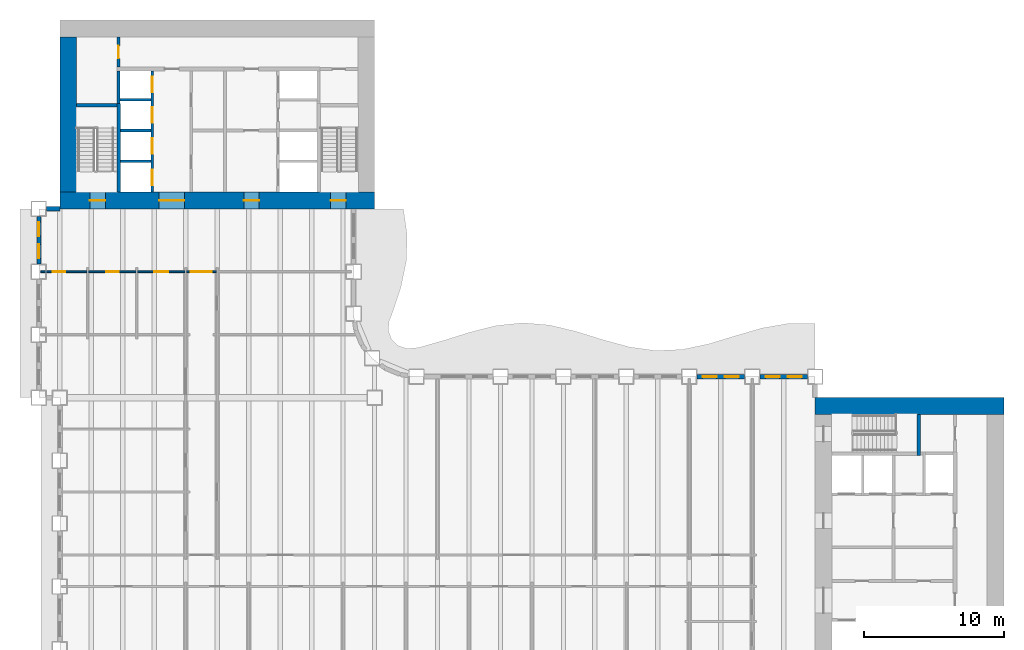
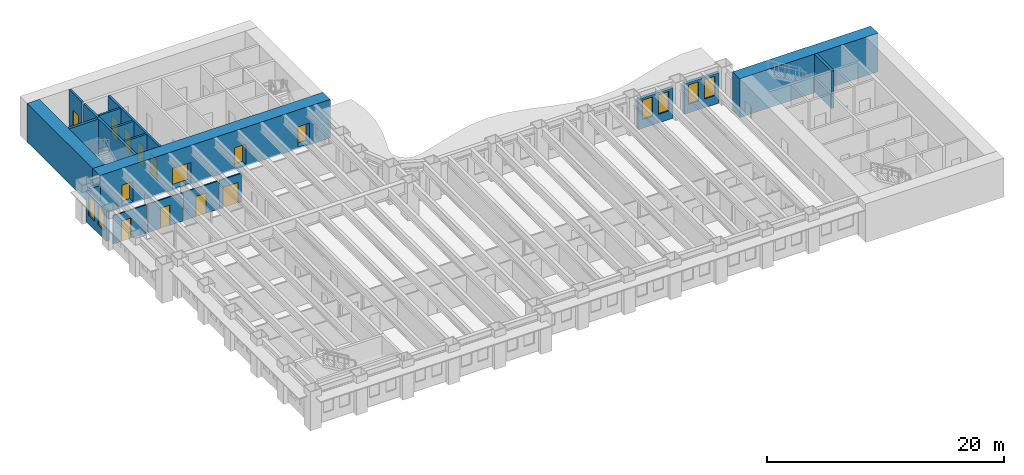
# One storey, part 7 of 15: 20 walls, 13 doors, 6 windows, 19 openings.
"""IFC4 building model written with IfcOpenShell, lengths in metres."""

from ifc_helpers import new_model, si_unit, direction, frame, frame_2d, origin, place, context, subcontext, project, spatial, rectangle, extrude, material, layer, layer_set, type_object, element, fill, save


model = new_model("IFC4")

# Units and contexts
model_context = context("Model", 3, precision=1e-05, world=origin(), true_north=direction((0.0, 1.0)))
body_context = subcontext(model_context, "Body", "Model", "MODEL_VIEW")
ifc_project = project(units=[si_unit("LENGTHUNIT", "METRE"), si_unit("AREAUNIT", "SQUARE_METRE"), si_unit("VOLUMEUNIT", "CUBIC_METRE"), si_unit("PLANEANGLEUNIT", "RADIAN"), si_unit("MASSUNIT", "GRAM", prefix="KILO")], contexts=[model_context])

# Site, building, storey
site_placement = place(None, origin())
site = spatial("IfcSite", under=ifc_project, at=site_placement, CompositionType="ELEMENT")
building_placement = place(site_placement, origin())
building = spatial("IfcBuilding", under=site, at=building_placement, Name="Sennacour Bend Tower", CompositionType="ELEMENT")
storey_placement = place(building_placement, frame((0.0, 0.0, 33.0)))
storey = spatial("IfcBuildingStorey", under=building, at=storey_placement, Name="L06", CompositionType="ELEMENT", Elevation=33.0)

# Wall
ifc_material_1 = material(Name="Concrete C80/95", Category="concrete")
ifc_layer_1 = layer(ifc_material_1, 1.199951171875, Name="Concrete C80/95", Category="concrete")
ifc_layer_set_1 = layer_set([ifc_layer_1], Name="Concrete C80/95")
wall_type_1 = type_object("IfcWallType", Name="Core wall 1200 C80/95", PredefinedType="SHEAR", material=ifc_layer_set_1)
wall_1_placement = place(storey_placement, frame((54.0, 21.89990234375, -0.14990234375), z_axis=(0.0, 0.0, 1.0), x_axis=(1.0, 0.0, 0.0)))
element("IfcWall", 1, at=wall_1_placement, inside=storey, type_object=wall_type_1, Name="Core A wall L06 N", PredefinedType="SHEAR", context=body_context, shape_type="SweptSolid", body=[
    extrude(rectangle(XDim=13.5, YDim=1.199951171875, at=frame_2d((6.75, 0.0))), origin(), (0.0, 0.0, 1.0), 4.0),
])

# Wall, openings, doors
wall_2_placement = place(storey_placement, frame((0.0, 36.60009765625, -0.14990234375), z_axis=(0.0, 0.0, 1.0), x_axis=(1.0, 0.0, 0.0)))
wall_2 = element("IfcWall", 2, at=wall_2_placement, inside=storey, type_object=wall_type_1, Name="Core B wall L06 S", PredefinedType="SHEAR", context=body_context, shape_type="SweptSolid", body=[
    extrude(rectangle(XDim=22.5, YDim=1.199951171875, at=frame_2d((11.25, 0.0))), origin(), (0.0, 0.0, 1.0), 4.0),
])
opening_1_placement = place(wall_2_placement, frame((7.10009765625, 0.0, 0.14990234375)))
opening_1 = element("IfcOpeningElement", 3, at=opening_1_placement, cuts=wall_2, Name="Opening CD", PredefinedType="OPENING", context=body_context, shape_type="SweptSolid", body=[
    extrude(rectangle(XDim=1.800048828125, YDim=2.10009765625, at=frame_2d((0.89990234375, 1.050048828125))), frame((0.0, 0.60986328125, 0.0), z_axis=(0.0, -1.0, 0.0), x_axis=(1.0, 0.0, 0.0)), (0.0, 0.0, 1.0), 1.219970703125),
])
opening_2_placement = place(wall_2_placement, frame((13.14990234375, 0.0, 0.14990234375)))
opening_2 = element("IfcOpeningElement", 4, at=opening_2_placement, cuts=wall_2, Name="Opening FD", PredefinedType="OPENING", context=body_context, shape_type="SweptSolid", body=[
    extrude(rectangle(XDim=1.10009765625, YDim=2.10009765625, at=frame_2d((0.550048828125, 1.050048828125))), frame((0.0, 0.60986328125, 0.0), z_axis=(0.0, -1.0, 0.0), x_axis=(1.0, 0.0, 0.0)), (0.0, 0.0, 1.0), 1.219970703125),
])
opening_3_placement = place(wall_2_placement, frame((2.14990234375, 0.0, 0.14990234375)))
opening_3 = element("IfcOpeningElement", 5, at=opening_3_placement, cuts=wall_2, Name="Opening SD", PredefinedType="OPENING", context=body_context, shape_type="SweptSolid", body=[
    extrude(rectangle(XDim=1.10009765625, YDim=2.10009765625, at=frame_2d((0.550048828125, 1.050048828125))), frame((0.0, 0.60986328125, 0.0), z_axis=(0.0, -1.0, 0.0), x_axis=(1.0, 0.0, 0.0)), (0.0, 0.0, 1.0), 1.219970703125),
])
opening_4_placement = place(wall_2_placement, frame((19.35009765625, 0.0, 0.14990234375)))
opening_4 = element("IfcOpeningElement", 6, at=opening_4_placement, cuts=wall_2, Name="Opening SD", PredefinedType="OPENING", context=body_context, shape_type="SweptSolid", body=[
    extrude(rectangle(XDim=1.10009765625, YDim=2.10009765625, at=frame_2d((0.550048828125, 1.050048828125))), frame((0.0, 0.60986328125, 0.0), z_axis=(0.0, -1.0, 0.0), x_axis=(1.0, 0.0, 0.0)), (0.0, 0.0, 1.0), 1.219970703125),
])
ifc_material_2 = material(Name="Painted steel", Category="steel")
door_type_1 = type_object("IfcDoorType", Name="DR-FFL-1100", OperationType="NOTDEFINED", PredefinedType="DOOR", material=ifc_material_2)
door_1_placement = place(opening_2_placement, origin())
door_1 = element("IfcDoor", 7, at=door_1_placement, inside=storey, type_object=door_type_1, Name="Door", OperationType="SINGLE_SWING_RIGHT", OverallHeight=2.10009765625, OverallWidth=1.10009765625, PredefinedType="DOOR", context=body_context, shape_type="SweptSolid", body=[
    extrude(rectangle(XDim=1.10009765625, YDim=2.10009765625, at=frame_2d((0.550048828125, 1.050048828125))), frame((0.0, 0.02490234375, 0.0), z_axis=(0.0, -1.0, 0.0), x_axis=(1.0, 0.0, 0.0)), (0.0, 0.0, 1.0), 0.050048828125),
])
fill(opening_2, door_1)
door_type_2 = type_object("IfcDoorType", Name="DR-LOBBY-1800", OperationType="NOTDEFINED", PredefinedType="DOOR", material=ifc_material_2)
door_2_placement = place(opening_1_placement, origin())
door_2 = element("IfcDoor", 8, at=door_2_placement, inside=storey, type_object=door_type_2, Name="Door", OperationType="DOUBLE_DOOR_SINGLE_SWING", OverallHeight=2.10009765625, OverallWidth=1.800048828125, PredefinedType="DOOR", context=body_context, shape_type="SweptSolid", body=[
    extrude(rectangle(XDim=1.800048828125, YDim=2.10009765625, at=frame_2d((0.89990234375, 1.050048828125))), frame((0.0, 0.02490234375, 0.0), z_axis=(0.0, -1.0, 0.0), x_axis=(1.0, 0.0, 0.0)), (0.0, 0.0, 1.0), 0.050048828125),
])
fill(opening_1, door_2)
door_type_3 = type_object("IfcDoorType", Name="DR-STAIR-1100", OperationType="NOTDEFINED", PredefinedType="DOOR", material=ifc_material_2)
door_3_placement = place(opening_3_placement, origin())
door_3 = element("IfcDoor", 9, at=door_3_placement, inside=storey, type_object=door_type_3, Name="Door", OperationType="SINGLE_SWING_LEFT", OverallHeight=2.10009765625, OverallWidth=1.10009765625, PredefinedType="DOOR", context=body_context, shape_type="SweptSolid", body=[
    extrude(rectangle(XDim=1.10009765625, YDim=2.10009765625, at=frame_2d((0.550048828125, 1.050048828125))), frame((0.0, 0.02490234375, 0.0), z_axis=(0.0, -1.0, 0.0), x_axis=(1.0, 0.0, 0.0)), (0.0, 0.0, 1.0), 0.050048828125),
])
fill(opening_3, door_3)
door_4_placement = place(opening_4_placement, origin())
door_4 = element("IfcDoor", 10, at=door_4_placement, inside=storey, type_object=door_type_3, Name="Door", OperationType="SINGLE_SWING_RIGHT", OverallHeight=2.10009765625, OverallWidth=1.10009765625, PredefinedType="DOOR", context=body_context, shape_type="SweptSolid", body=[
    extrude(rectangle(XDim=1.10009765625, YDim=2.10009765625, at=frame_2d((0.550048828125, 1.050048828125))), frame((0.0, 0.02490234375, 0.0), z_axis=(0.0, -1.0, 0.0), x_axis=(1.0, 0.0, 0.0)), (0.0, 0.0, 1.0), 0.050048828125),
])
fill(opening_4, door_4)

# Wall
wall_3_placement = place(storey_placement, frame((0.60009765625, 37.199951171875, -0.14990234375), z_axis=(0.0, 0.0, 1.0), x_axis=(0.0, 1.0, 0.0)))
element("IfcWall", 11, at=wall_3_placement, inside=storey, type_object=wall_type_1, Name="Core B wall L06 W", PredefinedType="SHEAR", context=body_context, shape_type="SweptSolid", body=[
    extrude(rectangle(XDim=11.10009765625, YDim=1.199951171875, at=frame_2d((5.550048828125, 0.0))), origin(), (0.0, 0.0, 1.0), 4.0),
])

# Wall, opening, door
ifc_material_3 = material(Name="Plasterboard partition on steel studs", Category="steel")
ifc_layer_2 = layer(ifc_material_3, 0.1201171875, Name="Plasterboard partition on steel studs", Category="steel")
ifc_layer_set_2 = layer_set([ifc_layer_2], Name="Plasterboard partition on steel studs")
wall_type_2 = type_object("IfcWallType", Name="Partition 120", PredefinedType="PARTITIONING", material=ifc_layer_set_2)
wall_4_placement = place(storey_placement, frame((-1.35009765625, 31.5, 0.0), z_axis=(0.0, 0.0, 1.0), x_axis=(1.0, 0.0, 0.0)))
wall_4 = element("IfcWall", 12, at=wall_4_placement, inside=storey, type_object=wall_type_2, Name="P-L06-W074aa", PredefinedType="PARTITIONING", context=body_context, shape_type="SweptSolid", body=[
    extrude(rectangle(XDim=3.2900390625, YDim=0.1201171875, at=frame_2d((1.64501953125, 0.0))), origin(), (0.0, 0.0, 1.0), 2.93798828125),
])
opening_5_placement = place(wall_4_placement, frame((0.85009765625, 0.0, 0.0)))
opening_5 = element("IfcOpeningElement", 13, at=opening_5_placement, cuts=wall_4, Name="Opening WD", PredefinedType="OPENING", context=body_context, shape_type="SweptSolid", body=[
    extrude(rectangle(XDim=0.89990234375, YDim=2.10009765625, at=frame_2d((0.449951171875, 1.050048828125))), frame((0.0, 0.070068359375, 0.0), z_axis=(0.0, -1.0, 0.0), x_axis=(1.0, 0.0, 0.0)), (0.0, 0.0, 1.0), 0.14013671875),
])
ifc_material_4 = material(Name="Timber", Category="wood")
door_type_4 = type_object("IfcDoorType", Name="DR-WC-900", OperationType="NOTDEFINED", PredefinedType="DOOR", material=ifc_material_4)
door_5_placement = place(opening_5_placement, origin())
door_5 = element("IfcDoor", 14, at=door_5_placement, inside=storey, type_object=door_type_4, Name="Door", OperationType="SINGLE_SWING_LEFT", OverallHeight=2.10009765625, OverallWidth=0.89990234375, PredefinedType="DOOR", context=body_context, shape_type="SweptSolid", body=[
    extrude(rectangle(XDim=0.89990234375, YDim=2.10009765625, at=frame_2d((0.449951171875, 1.050048828125))), frame((0.0, 0.02490234375, 0.0), z_axis=(0.0, -1.0, 0.0), x_axis=(1.0, 0.0, 0.0)), (0.0, 0.0, 1.0), 0.050048828125),
])
fill(opening_5, door_5)

wall_5_placement = place(storey_placement, frame((2.06005859375, 31.5, 0.0), z_axis=(0.0, 0.0, 1.0), x_axis=(1.0, 0.0, 0.0)))
wall_5 = element("IfcWall", 15, at=wall_5_placement, inside=storey, type_object=wall_type_2, Name="P-L06-W074ab", PredefinedType="PARTITIONING", context=body_context, shape_type="SweptSolid", body=[
    extrude(rectangle(XDim=3.3798828125, YDim=0.1201171875, at=frame_2d((1.68994140625, 0.0))), origin(), (0.0, 0.0, 1.0), 2.93798828125),
])
opening_6_placement = place(wall_5_placement, frame((1.239990234375, 0.0, 0.0)))
opening_6 = element("IfcOpeningElement", 16, at=opening_6_placement, cuts=wall_5, Name="Opening WD", PredefinedType="OPENING", context=body_context, shape_type="SweptSolid", body=[
    extrude(rectangle(XDim=0.89990234375, YDim=2.10009765625, at=frame_2d((0.449951171875, 1.050048828125))), frame((0.0, 0.070068359375, 0.0), z_axis=(0.0, -1.0, 0.0), x_axis=(1.0, 0.0, 0.0)), (0.0, 0.0, 1.0), 0.14013671875),
])
door_6_placement = place(opening_6_placement, origin())
door_6 = element("IfcDoor", 17, at=door_6_placement, inside=storey, type_object=door_type_4, Name="Door", OperationType="SINGLE_SWING_LEFT", OverallHeight=2.10009765625, OverallWidth=0.89990234375, PredefinedType="DOOR", context=body_context, shape_type="SweptSolid", body=[
    extrude(rectangle(XDim=0.89990234375, YDim=2.10009765625, at=frame_2d((0.449951171875, 1.050048828125))), frame((0.0, 0.02490234375, 0.0), z_axis=(0.0, -1.0, 0.0), x_axis=(1.0, 0.0, 0.0)), (0.0, 0.0, 1.0), 0.050048828125),
])
fill(opening_6, door_6)

wall_6_placement = place(storey_placement, frame((5.56005859375, 31.5, 0.0), z_axis=(0.0, 0.0, 1.0), x_axis=(1.0, 0.0, 0.0)))
wall_6 = element("IfcWall", 18, at=wall_6_placement, inside=storey, type_object=wall_type_2, Name="P-L06-W074ac", PredefinedType="PARTITIONING", context=body_context, shape_type="SweptSolid", body=[
    extrude(rectangle(XDim=3.3798828125, YDim=0.1201171875, at=frame_2d((1.68994140625, 0.0))), origin(), (0.0, 0.0, 1.0), 2.93798828125),
])
opening_7_placement = place(wall_6_placement, frame((1.18994140625, 0.0, 0.0)))
opening_7 = element("IfcOpeningElement", 19, at=opening_7_placement, cuts=wall_6, Name="Opening AD", PredefinedType="OPENING", context=body_context, shape_type="SweptSolid", body=[
    extrude(rectangle(XDim=1.0, YDim=2.10009765625, at=frame_2d((0.5, 1.050048828125))), frame((0.0, 0.070068359375, 0.0), z_axis=(0.0, -1.0, 0.0), x_axis=(1.0, 0.0, 0.0)), (0.0, 0.0, 1.0), 0.14013671875),
])
door_type_5 = type_object("IfcDoorType", Name="DR-ACC-WC-1000", OperationType="NOTDEFINED", PredefinedType="DOOR", material=ifc_material_4)
door_7_placement = place(opening_7_placement, origin())
door_7 = element("IfcDoor", 20, at=door_7_placement, inside=storey, type_object=door_type_5, Name="Door", OperationType="SINGLE_SWING_LEFT", OverallHeight=2.10009765625, OverallWidth=1.0, PredefinedType="DOOR", context=body_context, shape_type="SweptSolid", body=[
    extrude(rectangle(XDim=1.0, YDim=2.10009765625, at=frame_2d((0.5, 1.050048828125))), frame((0.0, 0.02490234375, 0.0), z_axis=(0.0, -1.0, 0.0), x_axis=(1.0, 0.0, 0.0)), (0.0, 0.0, 1.0), 0.050048828125),
])
fill(opening_7, door_7)

ifc_layer_3 = layer(ifc_material_3, 0.1201171875, Name="Plasterboard partition on steel studs", Category="steel")
ifc_layer_set_3 = layer_set([ifc_layer_3], Name="Plasterboard partition on steel studs")
wall_type_3 = type_object("IfcWallType", Name="Partition 120 EI 30", PredefinedType="PARTITIONING", material=ifc_layer_set_3)
wall_7_placement = place(storey_placement, frame((9.06005859375, 31.5, 0.0), z_axis=(0.0, 0.0, 1.0), x_axis=(1.0, 0.0, 0.0)))
wall_7 = element("IfcWall", 21, at=wall_7_placement, inside=storey, type_object=wall_type_3, Name="P-L06-W074ad", PredefinedType="PARTITIONING", context=body_context, shape_type="SweptSolid", body=[
    extrude(rectangle(XDim=2.1298828125, YDim=0.1201171875, at=frame_2d((1.06494140625, 0.0))), origin(), (0.0, 0.0, 1.0), 2.93798828125),
])
opening_8_placement = place(wall_7_placement, frame((0.31494140625, 0.0, 0.0)))
opening_8 = element("IfcOpeningElement", 22, at=opening_8_placement, cuts=wall_7, Name="Opening KD", PredefinedType="OPENING", context=body_context, shape_type="SweptSolid", body=[
    extrude(rectangle(XDim=1.5, YDim=2.10009765625, at=frame_2d((0.75, 1.050048828125))), frame((0.0, 0.070068359375, 0.0), z_axis=(0.0, -1.0, 0.0), x_axis=(1.0, 0.0, 0.0)), (0.0, 0.0, 1.0), 0.14013671875),
])
door_type_6 = type_object("IfcDoorType", Name="DR-CORRIDOR-1500", OperationType="NOTDEFINED", PredefinedType="DOOR", material=ifc_material_2)
door_8_placement = place(opening_8_placement, origin())
door_8 = element("IfcDoor", 23, at=door_8_placement, inside=storey, type_object=door_type_6, Name="Door", OperationType="SINGLE_SWING_LEFT", OverallHeight=2.10009765625, OverallWidth=1.5, PredefinedType="DOOR", context=body_context, shape_type="SweptSolid", body=[
    extrude(rectangle(XDim=1.5, YDim=2.10009765625, at=frame_2d((0.75, 1.050048828125))), frame((0.0, 0.02490234375, 0.0), z_axis=(0.0, -1.0, 0.0), x_axis=(1.0, 0.0, 0.0)), (0.0, 0.0, 1.0), 0.050048828125),
])
fill(opening_8, door_8)

ifc_material_5 = material(Name="Fire-rated plasterboard partition on steel studs", Category="steel")
ifc_layer_4 = layer(ifc_material_5, 0.199951171875, Name="Fire-rated plasterboard partition on steel studs", Category="steel")
ifc_layer_set_4 = layer_set([ifc_layer_4], Name="Fire-rated plasterboard partition on steel studs")
wall_type_4 = type_object("IfcWallType", Name="Rated partition 200", PredefinedType="PARTITIONING", material=ifc_layer_set_4)
wall_8_placement = place(storey_placement, frame((4.199951171875, 46.14990234375, 0.0), z_axis=(0.0, 0.0, 1.0), x_axis=(0.0, 1.0, 0.0)))
wall_8 = element("IfcWall", 24, at=wall_8_placement, inside=storey, type_object=wall_type_4, Name="P-L06-W007", PredefinedType="PARTITIONING", context=body_context, shape_type="SweptSolid", body=[
    extrude(rectangle(XDim=2.150146484375, YDim=0.199951171875, at=frame_2d((1.0751953125, 0.0))), origin(), (0.0, 0.0, 1.0), 3.85009765625),
])
opening_9_placement = place(wall_8_placement, frame((0.60009765625, 0.0, 0.0)))
opening_9 = element("IfcOpeningElement", 25, at=opening_9_placement, cuts=wall_8, Name="Opening SV", PredefinedType="OPENING", context=body_context, shape_type="SweptSolid", body=[
    extrude(rectangle(XDim=0.89990234375, YDim=2.10009765625, at=frame_2d((0.449951171875, 1.050048828125))), frame((0.0, 0.10986328125, 0.0), z_axis=(0.0, -1.0, 0.0), x_axis=(1.0, 0.0, 0.0)), (0.0, 0.0, 1.0), 0.219970703125),
])
door_type_7 = type_object("IfcDoorType", Name="DR-SERVICE-900", OperationType="NOTDEFINED", PredefinedType="DOOR", material=ifc_material_2)
door_9_placement = place(opening_9_placement, origin())
door_9 = element("IfcDoor", 26, at=door_9_placement, inside=storey, type_object=door_type_7, Name="Door", OperationType="SINGLE_SWING_LEFT", OverallHeight=2.10009765625, OverallWidth=0.89990234375, PredefinedType="DOOR", context=body_context, shape_type="SweptSolid", body=[
    extrude(rectangle(XDim=0.89990234375, YDim=2.10009765625, at=frame_2d((0.449951171875, 1.050048828125))), frame((0.0, 0.02490234375, 0.0), z_axis=(0.0, -1.0, 0.0), x_axis=(1.0, 0.0, 0.0)), (0.0, 0.0, 1.0), 0.050048828125),
])
fill(opening_9, door_9)

# Wall, openings, windows
ifc_material_6 = material(Name="Warm limestone cladding", Category="masonry")
ifc_layer_5 = layer(ifc_material_6, 0.050048828125, Name="Warm limestone cladding", Category="masonry")
ifc_material_7 = material(Name="Precast concrete C40/50", Category="concrete")
ifc_layer_6 = layer(ifc_material_7, 0.25, Name="Precast concrete C40/50", Category="concrete")
ifc_layer_set_5 = layer_set([ifc_layer_5, ifc_layer_6], Name="Precast concrete C40/50 with limestone cladding")
wall_type_5 = type_object("IfcWallType", Name="STONE-CLAD PRECAST SPANDREL 300", PredefinedType="STANDARD", material=ifc_layer_set_5)
wall_9_placement = place(storey_placement, frame((53.449951171875, 24.0, 0.0), z_axis=(0.0, 0.0, 1.0), x_axis=(-1.0, 0.0, 0.0)))
wall_9 = element("IfcWall", 27, at=wall_9_placement, inside=storey, type_object=wall_type_5, Name="Stone spandrel and pier wall L06 08.00", PredefinedType="STANDARD", context=body_context, shape_type="SweptSolid", body=[
    extrude(rectangle(XDim=3.39990234375, YDim=0.300048828125, at=frame_2d((1.699951171875, 0.0))), origin(), (0.0, 0.0, 1.0), 3.14404296875),
])
opening_10_placement = place(wall_9_placement, frame((0.39990234375, 0.0, 0.89990234375)))
opening_10 = element("IfcOpeningElement", 28, at=opening_10_placement, cuts=wall_9, Name="Opening W8", PredefinedType="OPENING", context=body_context, shape_type="SweptSolid", body=[
    extrude(rectangle(XDim=1.0, YDim=2.0, at=frame_2d((0.5, 1.0))), frame((0.0, 0.16015625, 0.0), z_axis=(0.0, -1.0, 0.0), x_axis=(1.0, 0.0, 0.0)), (0.0, 0.0, 1.0), 0.320068359375),
])
opening_11_placement = place(wall_9_placement, frame((2.0, 0.0, 0.89990234375)))
opening_11 = element("IfcOpeningElement", 29, at=opening_11_placement, cuts=wall_9, Name="Opening W8", PredefinedType="OPENING", context=body_context, shape_type="SweptSolid", body=[
    extrude(rectangle(XDim=1.0, YDim=2.0, at=frame_2d((0.5, 1.0))), frame((0.0, 0.16015625, 0.0), z_axis=(0.0, -1.0, 0.0), x_axis=(1.0, 0.0, 0.0)), (0.0, 0.0, 1.0), 0.320068359375),
])
ifc_material_8 = material(Name="Clear low-emissivity glass", Category="glass")
window_type = type_object("IfcWindowType", Name="WIN-RIBBON-1000x2000", PartitioningType="SINGLE_PANEL", PredefinedType="WINDOW", material=ifc_material_8)
window_1_placement = place(opening_10_placement, origin())
window_1 = element("IfcWindow", 30, at=window_1_placement, inside=storey, type_object=window_type, Name="Ribbon window L06 08.00.0", OverallHeight=2.0, OverallWidth=1.0, PartitioningType="SINGLE_PANEL", PredefinedType="WINDOW", context=body_context, shape_type="SweptSolid", body=[
    extrude(rectangle(XDim=1.0, YDim=2.0, at=frame_2d((0.5, 1.0))), frame((0.0, 0.030029296875, 0.0), z_axis=(0.0, -1.0, 0.0), x_axis=(1.0, 0.0, 0.0)), (0.0, 0.0, 1.0), 0.06005859375),
])
fill(opening_10, window_1)
window_2_placement = place(opening_11_placement, origin())
window_2 = element("IfcWindow", 31, at=window_2_placement, inside=storey, type_object=window_type, Name="Ribbon window L06 08.00.1", OverallHeight=2.0, OverallWidth=1.0, PartitioningType="SINGLE_PANEL", PredefinedType="WINDOW", context=body_context, shape_type="SweptSolid", body=[
    extrude(rectangle(XDim=1.0, YDim=2.0, at=frame_2d((0.5, 1.0))), frame((0.0, 0.030029296875, 0.0), z_axis=(0.0, -1.0, 0.0), x_axis=(1.0, 0.0, 0.0)), (0.0, 0.0, 1.0), 0.06005859375),
])
fill(opening_11, window_2)

wall_10_placement = place(storey_placement, frame((48.949951171875, 24.0, 0.0), z_axis=(0.0, 0.0, 1.0), x_axis=(-1.0, 0.0, 0.0)))
wall_10 = element("IfcWall", 32, at=wall_10_placement, inside=storey, type_object=wall_type_5, Name="Stone spandrel and pier wall L06 08.01", PredefinedType="STANDARD", context=body_context, shape_type="SweptSolid", body=[
    extrude(rectangle(XDim=3.39990234375, YDim=0.300048828125, at=frame_2d((1.699951171875, 0.0))), origin(), (0.0, 0.0, 1.0), 3.14404296875),
])
opening_12_placement = place(wall_10_placement, frame((0.39990234375, 0.0, 0.89990234375)))
opening_12 = element("IfcOpeningElement", 33, at=opening_12_placement, cuts=wall_10, Name="Opening W8", PredefinedType="OPENING", context=body_context, shape_type="SweptSolid", body=[
    extrude(rectangle(XDim=1.0, YDim=2.0, at=frame_2d((0.5, 1.0))), frame((0.0, 0.16015625, 0.0), z_axis=(0.0, -1.0, 0.0), x_axis=(1.0, 0.0, 0.0)), (0.0, 0.0, 1.0), 0.320068359375),
])
opening_13_placement = place(wall_10_placement, frame((2.0, 0.0, 0.89990234375)))
opening_13 = element("IfcOpeningElement", 34, at=opening_13_placement, cuts=wall_10, Name="Opening W8", PredefinedType="OPENING", context=body_context, shape_type="SweptSolid", body=[
    extrude(rectangle(XDim=1.0, YDim=2.0, at=frame_2d((0.5, 1.0))), frame((0.0, 0.16015625, 0.0), z_axis=(0.0, -1.0, 0.0), x_axis=(1.0, 0.0, 0.0)), (0.0, 0.0, 1.0), 0.320068359375),
])
window_3_placement = place(opening_12_placement, origin())
window_3 = element("IfcWindow", 35, at=window_3_placement, inside=storey, type_object=window_type, Name="Ribbon window L06 08.01.0", OverallHeight=2.0, OverallWidth=1.0, PartitioningType="SINGLE_PANEL", PredefinedType="WINDOW", context=body_context, shape_type="SweptSolid", body=[
    extrude(rectangle(XDim=1.0, YDim=2.0, at=frame_2d((0.5, 1.0))), frame((0.0, 0.030029296875, 0.0), z_axis=(0.0, -1.0, 0.0), x_axis=(1.0, 0.0, 0.0)), (0.0, 0.0, 1.0), 0.06005859375),
])
fill(opening_12, window_3)
window_4_placement = place(opening_13_placement, origin())
window_4 = element("IfcWindow", 36, at=window_4_placement, inside=storey, type_object=window_type, Name="Ribbon window L06 08.01.1", OverallHeight=2.0, OverallWidth=1.0, PartitioningType="SINGLE_PANEL", PredefinedType="WINDOW", context=body_context, shape_type="SweptSolid", body=[
    extrude(rectangle(XDim=1.0, YDim=2.0, at=frame_2d((0.5, 1.0))), frame((0.0, 0.030029296875, 0.0), z_axis=(0.0, -1.0, 0.0), x_axis=(1.0, 0.0, 0.0)), (0.0, 0.0, 1.0), 0.06005859375),
])
fill(opening_13, window_4)

# Wall
wall_11_placement = place(storey_placement, frame((0.0, 36.0, 0.0), z_axis=(0.0, 0.0, 1.0), x_axis=(-1.0, 0.0, 0.0)))
element("IfcWall", 37, at=wall_11_placement, inside=storey, type_object=wall_type_5, Name="Stone spandrel and pier wall L06 20.00", PredefinedType="STANDARD", context=body_context, shape_type="SweptSolid", body=[
    extrude(rectangle(XDim=0.949951171875, YDim=0.300048828125, at=frame_2d((0.47509765625, 0.0))), origin(), (0.0, 0.0, 1.0), 2.93798828125),
])

# Wall, openings, windows
wall_12_placement = place(storey_placement, frame((-1.5, 35.449951171875, 0.0), z_axis=(0.0, 0.0, 1.0), x_axis=(0.0, -1.0, 0.0)))
wall_12 = element("IfcWall", 38, at=wall_12_placement, inside=storey, type_object=wall_type_5, Name="Stone spandrel and pier wall L06 21.00", PredefinedType="STANDARD", context=body_context, shape_type="SweptSolid", body=[
    extrude(rectangle(XDim=3.39990234375, YDim=0.300048828125, at=frame_2d((1.699951171875, 0.0))), origin(), (0.0, 0.0, 1.0), 3.14404296875),
])
opening_14_placement = place(wall_12_placement, frame((0.39990234375, 0.0, 0.89990234375)))
opening_14 = element("IfcOpeningElement", 39, at=opening_14_placement, cuts=wall_12, Name="Opening W8", PredefinedType="OPENING", context=body_context, shape_type="SweptSolid", body=[
    extrude(rectangle(XDim=1.0, YDim=2.0, at=frame_2d((0.5, 1.0))), frame((0.0, 0.16015625, 0.0), z_axis=(0.0, -1.0, 0.0), x_axis=(1.0, 0.0, 0.0)), (0.0, 0.0, 1.0), 0.320068359375),
])
opening_15_placement = place(wall_12_placement, frame((2.0, 0.0, 0.89990234375)))
opening_15 = element("IfcOpeningElement", 40, at=opening_15_placement, cuts=wall_12, Name="Opening W8", PredefinedType="OPENING", context=body_context, shape_type="SweptSolid", body=[
    extrude(rectangle(XDim=1.0, YDim=2.0, at=frame_2d((0.5, 1.0))), frame((0.0, 0.16015625, 0.0), z_axis=(0.0, -1.0, 0.0), x_axis=(1.0, 0.0, 0.0)), (0.0, 0.0, 1.0), 0.320068359375),
])
window_5_placement = place(opening_14_placement, origin())
window_5 = element("IfcWindow", 41, at=window_5_placement, inside=storey, type_object=window_type, Name="Ribbon window L06 21.00.0", OverallHeight=2.0, OverallWidth=1.0, PartitioningType="SINGLE_PANEL", PredefinedType="WINDOW", context=body_context, shape_type="SweptSolid", body=[
    extrude(rectangle(XDim=1.0, YDim=2.0, at=frame_2d((0.5, 1.0))), frame((0.0, 0.030029296875, 0.0), z_axis=(0.0, -1.0, 0.0), x_axis=(1.0, 0.0, 0.0)), (0.0, 0.0, 1.0), 0.06005859375),
])
fill(opening_14, window_5)
window_6_placement = place(opening_15_placement, origin())
window_6 = element("IfcWindow", 42, at=window_6_placement, inside=storey, type_object=window_type, Name="Ribbon window L06 21.00.1", OverallHeight=2.0, OverallWidth=1.0, PartitioningType="SINGLE_PANEL", PredefinedType="WINDOW", context=body_context, shape_type="SweptSolid", body=[
    extrude(rectangle(XDim=1.0, YDim=2.0, at=frame_2d((0.5, 1.0))), frame((0.0, 0.030029296875, 0.0), z_axis=(0.0, -1.0, 0.0), x_axis=(1.0, 0.0, 0.0)), (0.0, 0.0, 1.0), 0.06005859375),
])
fill(opening_15, window_6)

# Wall
ifc_material_9 = material(Name="Concrete C50/60", Category="concrete")
ifc_layer_7 = layer(ifc_material_9, 0.199951171875, Name="Concrete C50/60", Category="concrete")
ifc_layer_set_6 = layer_set([ifc_layer_7], Name="Concrete C50/60")
wall_type_6 = type_object("IfcWallType", Name="Shaft wall 200", PredefinedType="SOLIDWALL", material=ifc_layer_set_6)
wall_13_placement = place(storey_placement, frame((4.199951171875, 43.52490234375, 0.0), z_axis=(0.0, 0.0, 1.0), x_axis=(0.0, 1.0, 0.0)))
element("IfcWall", 43, at=wall_13_placement, inside=storey, type_object=wall_type_6, Name="P-L06-W006", PredefinedType="SOLIDWALL", context=body_context, shape_type="SweptSolid", body=[
    extrude(rectangle(XDim=2.3251953125, YDim=0.199951171875, at=frame_2d((1.16259765625, 0.0))), origin(), (0.0, 0.0, 1.0), 3.85009765625),
])

# Wall, openings, doors
wall_14_placement = place(storey_placement, frame((6.60009765625, 37.199951171875, 0.0), z_axis=(0.0, 0.0, 1.0), x_axis=(0.0, 1.0, 0.0)))
wall_14 = element("IfcWall", 44, at=wall_14_placement, inside=storey, type_object=wall_type_6, Name="P-L06-W009", PredefinedType="SOLIDWALL", context=body_context, shape_type="SweptSolid", body=[
    extrude(rectangle(XDim=8.650146484375, YDim=0.199951171875, at=frame_2d((4.3251953125, 0.0))), origin(), (0.0, 0.0, 1.0), 3.85009765625),
])
opening_16_placement = place(wall_14_placement, frame((0.5, 0.0, 0.011962890625)))
opening_16 = element("IfcOpeningElement", 45, at=opening_16_placement, cuts=wall_14, Name="Opening LD", PredefinedType="OPENING", context=body_context, shape_type="SweptSolid", body=[
    extrude(rectangle(XDim=1.10009765625, YDim=2.10009765625, at=frame_2d((0.550048828125, 1.050048828125))), frame((0.0, 0.10986328125, 0.0), z_axis=(0.0, -1.0, 0.0), x_axis=(1.0, 0.0, 0.0)), (0.0, 0.0, 1.0), 0.219970703125),
])
opening_17_placement = place(wall_14_placement, frame((2.75, 0.0, 0.011962890625)))
opening_17 = element("IfcOpeningElement", 46, at=opening_17_placement, cuts=wall_14, Name="Opening LD", PredefinedType="OPENING", context=body_context, shape_type="SweptSolid", body=[
    extrude(rectangle(XDim=1.10009765625, YDim=2.10009765625, at=frame_2d((0.550048828125, 1.050048828125))), frame((0.0, 0.10986328125, 0.0), z_axis=(0.0, -1.0, 0.0), x_axis=(1.0, 0.0, 0.0)), (0.0, 0.0, 1.0), 0.219970703125),
])
opening_18_placement = place(wall_14_placement, frame((4.949951171875, 0.0, 0.011962890625)))
opening_18 = element("IfcOpeningElement", 47, at=opening_18_placement, cuts=wall_14, Name="Opening LD", PredefinedType="OPENING", context=body_context, shape_type="SweptSolid", body=[
    extrude(rectangle(XDim=1.10009765625, YDim=2.10009765625, at=frame_2d((0.550048828125, 1.050048828125))), frame((0.0, 0.10986328125, 0.0), z_axis=(0.0, -1.0, 0.0), x_axis=(1.0, 0.0, 0.0)), (0.0, 0.0, 1.0), 0.219970703125),
])
opening_19_placement = place(wall_14_placement, frame((7.125, 0.0, 0.011962890625)))
opening_19 = element("IfcOpeningElement", 48, at=opening_19_placement, cuts=wall_14, Name="Opening LD", PredefinedType="OPENING", context=body_context, shape_type="SweptSolid", body=[
    extrude(rectangle(XDim=1.10009765625, YDim=2.10009765625, at=frame_2d((0.550048828125, 1.050048828125))), frame((0.0, 0.10986328125, 0.0), z_axis=(0.0, -1.0, 0.0), x_axis=(1.0, 0.0, 0.0)), (0.0, 0.0, 1.0), 0.219970703125),
])
ifc_material_10 = material(Name="Stainless steel", Category="steel")
door_type_8 = type_object("IfcDoorType", Name="DR-LANDING-1100", OperationType="NOTDEFINED", PredefinedType="DOOR", material=ifc_material_10)
door_10_placement = place(opening_16_placement, origin())
door_10 = element("IfcDoor", 49, at=door_10_placement, inside=storey, type_object=door_type_8, Name="Lift landing door LB1", OperationType="SLIDING_TO_RIGHT", OverallHeight=2.10009765625, OverallWidth=1.10009765625, PredefinedType="DOOR", context=body_context, shape_type="SweptSolid", body=[
    extrude(rectangle(XDim=1.10009765625, YDim=2.10009765625, at=frame_2d((0.550048828125, 1.050048828125))), frame((0.0, 0.02490234375, 0.0), z_axis=(0.0, -1.0, 0.0), x_axis=(1.0, 0.0, 0.0)), (0.0, 0.0, 1.0), 0.050048828125),
])
fill(opening_16, door_10)
door_11_placement = place(opening_17_placement, origin())
door_11 = element("IfcDoor", 50, at=door_11_placement, inside=storey, type_object=door_type_8, Name="Lift landing door LB2", OperationType="SLIDING_TO_LEFT", OverallHeight=2.10009765625, OverallWidth=1.10009765625, PredefinedType="DOOR", context=body_context, shape_type="SweptSolid", body=[
    extrude(rectangle(XDim=1.10009765625, YDim=2.10009765625, at=frame_2d((0.550048828125, 1.050048828125))), frame((0.0, 0.02490234375, 0.0), z_axis=(0.0, -1.0, 0.0), x_axis=(1.0, 0.0, 0.0)), (0.0, 0.0, 1.0), 0.050048828125),
])
fill(opening_17, door_11)
door_12_placement = place(opening_18_placement, origin())
door_12 = element("IfcDoor", 51, at=door_12_placement, inside=storey, type_object=door_type_8, Name="Lift landing door LB3", OperationType="SLIDING_TO_RIGHT", OverallHeight=2.10009765625, OverallWidth=1.10009765625, PredefinedType="DOOR", context=body_context, shape_type="SweptSolid", body=[
    extrude(rectangle(XDim=1.10009765625, YDim=2.10009765625, at=frame_2d((0.550048828125, 1.050048828125))), frame((0.0, 0.02490234375, 0.0), z_axis=(0.0, -1.0, 0.0), x_axis=(1.0, 0.0, 0.0)), (0.0, 0.0, 1.0), 0.050048828125),
])
fill(opening_18, door_12)
door_13_placement = place(opening_19_placement, origin())
door_13 = element("IfcDoor", 52, at=door_13_placement, inside=storey, type_object=door_type_8, Name="Lift landing door LB4", OperationType="SLIDING_TO_LEFT", OverallHeight=2.10009765625, OverallWidth=1.10009765625, PredefinedType="DOOR", context=body_context, shape_type="SweptSolid", body=[
    extrude(rectangle(XDim=1.10009765625, YDim=2.10009765625, at=frame_2d((0.550048828125, 1.050048828125))), frame((0.0, 0.02490234375, 0.0), z_axis=(0.0, -1.0, 0.0), x_axis=(1.0, 0.0, 0.0)), (0.0, 0.0, 1.0), 0.050048828125),
])
fill(opening_19, door_13)

# Walls
for number, where, z_axis, x_axis, name in (
    (53, (4.324951171875, 39.39990234375, 0.0), (0.0, 0.0, 1.0), (1.0, 0.0, 0.0), "P-L06-W076"),
    (54, (4.324951171875, 41.60009765625, 0.0), (0.0, 0.0, 1.0), (1.0, 0.0, 0.0), "P-L06-W078"),
):
    element("IfcWall", number, at=place(storey_placement, frame(where, z_axis=z_axis, x_axis=x_axis)), inside=storey, type_object=wall_type_6, Name=name, PredefinedType="SOLIDWALL", context=body_context, shape_type="SweptSolid", body=[
        extrude(rectangle(XDim=2.175048828125, YDim=0.199951171875, at=frame_2d((1.08740234375, 0.0))), origin(), (0.0, 0.0, 1.0), 3.85009765625),
    ])
wall_15_placement = place(storey_placement, frame((4.300048828125, 43.800048828125, 0.0), z_axis=(0.0, 0.0, 1.0), x_axis=(1.0, 0.0, 0.0)))
element("IfcWall", 55, at=wall_15_placement, inside=storey, type_object=wall_type_6, Name="P-L06-W083", PredefinedType="SOLIDWALL", context=body_context, shape_type="SweptSolid", body=[
    extrude(rectangle(XDim=2.199951171875, YDim=0.199951171875, at=frame_2d((1.10009765625, 0.0))), origin(), (0.0, 0.0, 1.0), 3.85009765625),
])
ifc_material_11 = material(Name="Concrete C60/75", Category="concrete")
ifc_layer_8 = layer(ifc_material_11, 0.25, Name="Concrete C60/75", Category="concrete")
ifc_layer_set_7 = layer_set([ifc_layer_8], Name="Concrete C60/75")
wall_type_7 = type_object("IfcWallType", Name="Stair wall 250", PredefinedType="SHEAR", material=ifc_layer_set_7)
wall_16_placement = place(storey_placement, frame((4.199951171875, 37.199951171875, 0.0), z_axis=(0.0, 0.0, 1.0), x_axis=(0.0, 1.0, 0.0)))
element("IfcWall", 56, at=wall_16_placement, inside=storey, type_object=wall_type_7, Name="P-L06-W005", PredefinedType="SHEAR", context=body_context, shape_type="SweptSolid", body=[
    extrude(rectangle(XDim=6.324951171875, YDim=0.25, at=frame_2d((3.16259765625, 0.0))), origin(), (0.0, 0.0, 1.0), 3.85009765625),
])
wall_17_placement = place(storey_placement, frame((61.39990234375, 18.375, 0.0), z_axis=(0.0, 0.0, 1.0), x_axis=(0.0, 1.0, 0.0)))
element("IfcWall", 57, at=wall_17_placement, inside=storey, type_object=wall_type_7, Name="P-L06-W042", PredefinedType="SHEAR", context=body_context, shape_type="SweptSolid", body=[
    extrude(rectangle(XDim=2.925048828125, YDim=0.25, at=frame_2d((1.46240234375, 0.0))), origin(), (0.0, 0.0, 1.0), 3.85009765625),
])
wall_18_placement = place(storey_placement, frame((1.199951171875, 43.39990234375, 0.0), z_axis=(0.0, 0.0, 1.0), x_axis=(1.0, 0.0, 0.0)))
element("IfcWall", 58, at=wall_18_placement, inside=storey, type_object=wall_type_7, Name="P-L06-W081", PredefinedType="SHEAR", context=body_context, shape_type="SweptSolid", body=[
    extrude(rectangle(XDim=2.875, YDim=0.25, at=frame_2d((1.4375, 0.0))), origin(), (0.0, 0.0, 1.0), 3.85009765625),
])

save(model, "model.ifc")
